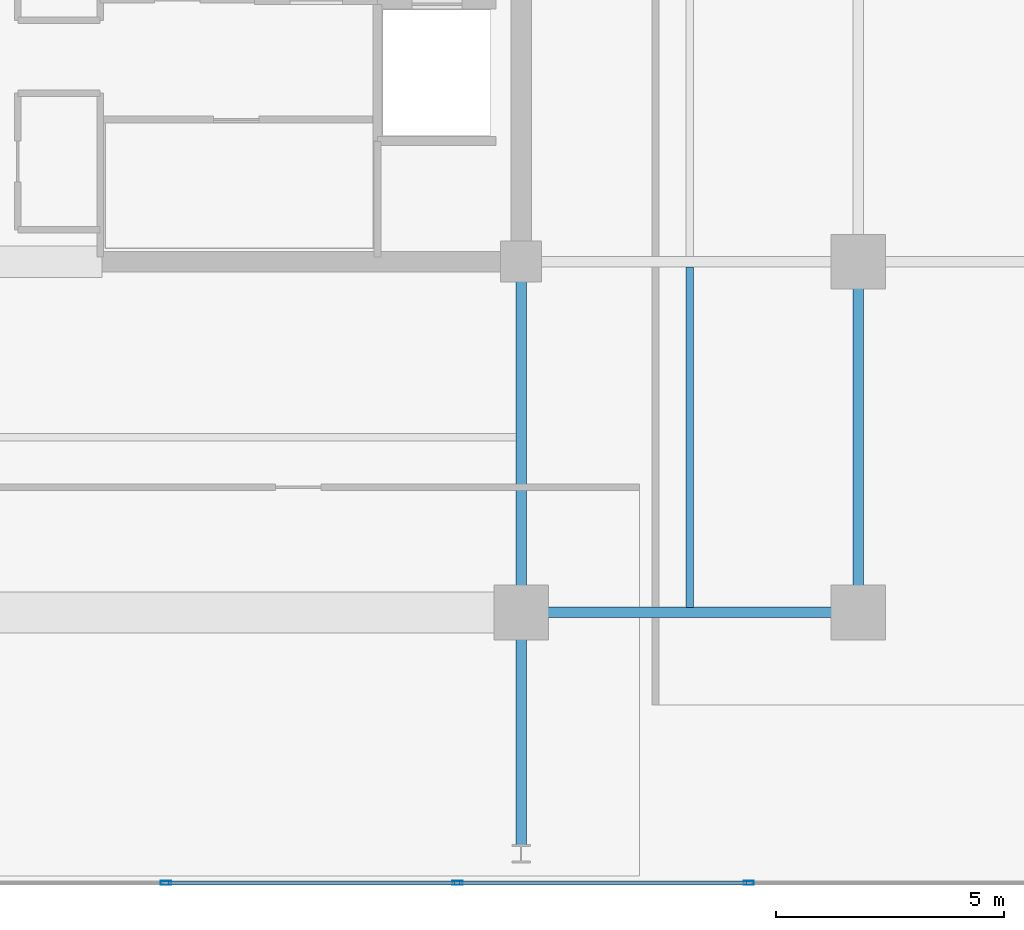
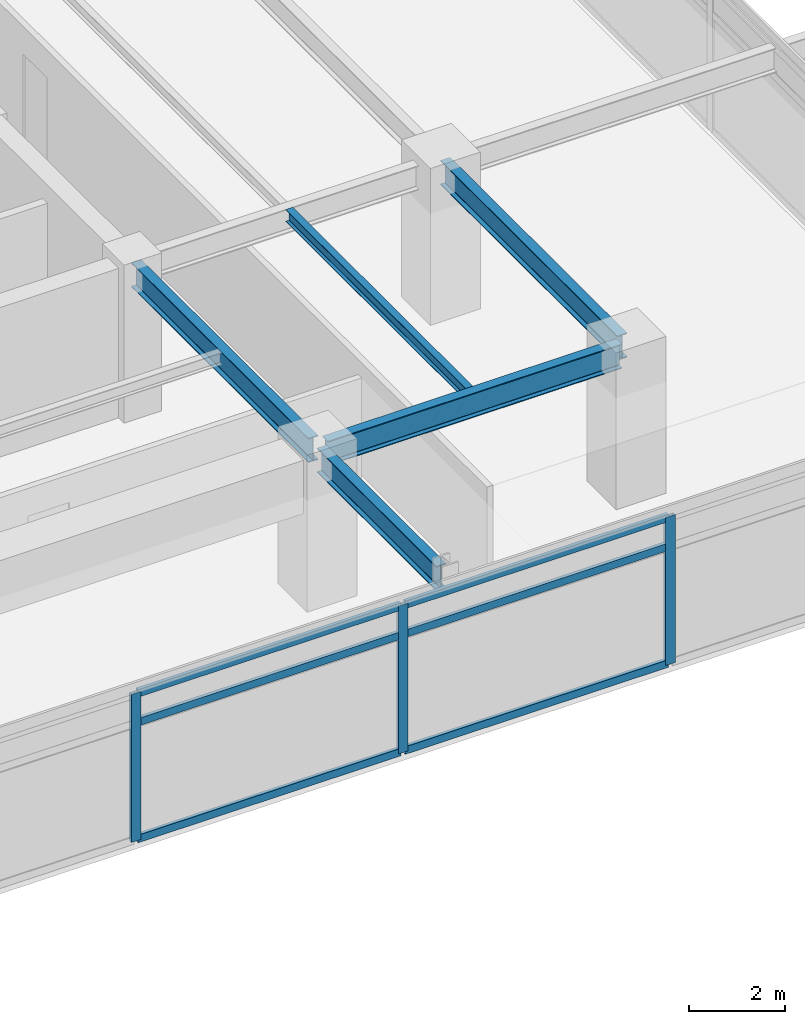
# One storey, part 6 of 18: 9 members, 5 beams, 1 element without a shape of its own.
"""IFC4 building model written with IfcOpenShell, lengths in metres."""

from ifc_helpers import new_model, si_unit, direction, frame, origin, origin_2d, place, context, subcontext, project, spatial, hollow_rectangle, i_section, extrude, material, material_profile, profile_set, type_object, element, aggregate, save


model = new_model("IFC4")

# Units and contexts
model_context = context("Model", 3, precision=1e-05, world=origin(), true_north=direction((0.0, 1.0)))
body_context = subcontext(model_context, "Body", "Model", "MODEL_VIEW")
ifc_project = project(units=[si_unit("LENGTHUNIT", "METRE"), si_unit("AREAUNIT", "SQUARE_METRE"), si_unit("VOLUMEUNIT", "CUBIC_METRE"), si_unit("PLANEANGLEUNIT", "RADIAN"), si_unit("MASSUNIT", "GRAM", prefix="KILO")], contexts=[model_context])

# Site, building, storey
site_placement = place(None, origin())
site = spatial("IfcSite", under=ifc_project, at=site_placement, CompositionType="ELEMENT")
building_placement = place(site_placement, origin())
building = spatial("IfcBuilding", under=site, at=building_placement, Name="Kovane Verandah Tower", CompositionType="ELEMENT")
storey_placement = place(building_placement, frame((0.0, 0.0, 251.199951171875)))
storey = spatial("IfcBuildingStorey", under=building, at=storey_placement, Name="L58", CompositionType="ELEMENT", Elevation=251.199951171875)

# Beams
ifc_material_1 = material(Name="Steel S355", Category="steel")
ifc_material_profile_1 = material_profile(ifc_material_1, i_section(OverallWidth=0.230224609375, OverallDepth=0.6171875, WebThickness=0.01318359375, FlangeThickness=0.022216796875, FilletRadius=0.0126953125, at=origin_2d()), Name="UB610x229x140")
ifc_profile_set_1 = profile_set([ifc_material_profile_1], Name="Steel S355")
beam_type_1 = type_object("IfcBeamType", Name="BM-UB610x140", PredefinedType="BEAM", material=ifc_profile_set_1)
beam_1_placement = place(storey_placement, frame((51.179931640625, 10.800048828125, 3.4765625), z_axis=(1.0, 0.0, 0.0), x_axis=(0.0, 1.0, 0.0)))
element("IfcBeam", 1, at=beam_1_placement, inside=storey, type_object=beam_type_1, Name="L58 Primary Tower Girder G-RS3", PredefinedType="BEAM", context=body_context, shape_type="SweptSolid", body=[
    extrude(i_section(OverallWidth=0.230224609375, OverallDepth=0.6171875, WebThickness=0.01318359375, FlangeThickness=0.022216796875, FilletRadius=0.0126953125, at=origin_2d()), origin(), (0.0, 0.0, 1.0), 7.0400390625),
])
for number, where, z_axis, x_axis, name in (
    (2, (58.39990234375, 10.97998046875, 3.4765625), (0.0, 1.0, 0.0), (-1.0, 0.0, 0.0), "L58 Primary Tower Girder G-RE1"),
    (3, (51.0, 18.320068359375, 3.4765625), (0.0, -1.0, 0.0), (1.0, 0.0, 0.0), "L58 Primary Tower Girder G-S2"),
):
    element("IfcBeam", number, at=place(storey_placement, frame(where, z_axis=z_axis, x_axis=x_axis)), inside=storey, type_object=beam_type_1, Name=name, PredefinedType="BEAM", context=body_context, shape_type="SweptSolid", body=[
        extrude(i_section(OverallWidth=0.230224609375, OverallDepth=0.6171875, WebThickness=0.01318359375, FlangeThickness=0.022216796875, FilletRadius=0.0126953125, at=origin_2d()), origin(), (0.0, 0.0, 1.0), 7.340087890625),
    ])
beam_2_placement = place(storey_placement, frame((51.0, 10.6201171875, 3.451416015625), z_axis=(0.0, -1.0, 0.0), x_axis=(1.0, 0.0, 0.0)))
element("IfcBeam", 4, at=beam_2_placement, inside=storey, type_object=beam_type_1, Name="L58 Primary Tower Girder G-VS2", PredefinedType="BEAM", context=body_context, shape_type="SweptSolid", body=[
    extrude(i_section(OverallWidth=0.230224609375, OverallDepth=0.6171875, WebThickness=0.01318359375, FlangeThickness=0.022216796875, FilletRadius=0.0126953125, at=origin_2d()), origin(), (0.0, 0.0, 1.0), 4.940185546875),
])

# Curtain wall, members
ifc_material_2 = material(Name="Champagne Anodised Aluminium Frame with Low-E Clear Laminated Glass", Category="aluminium")
curtain_wall_type = type_object("IfcCurtainWallType", Name="CW-SYS-05-HIGH", PredefinedType="NOTDEFINED", material=ifc_material_2)
curtain_wall_placement = place(storey_placement, origin())
curtain_wall = element("IfcCurtainWall", 5, at=curtain_wall_placement, inside=storey, type_object=curtain_wall_type, Name="L58 S Unitised Curtain Wall", PredefinedType="NOTDEFINED")
ifc_material_3 = material(Name="Champagne Anodised Aluminium 6063-T6", Category="aluminium")
ifc_material_profile_2 = material_profile(ifc_material_3, hollow_rectangle(XDim=0.0849609375, YDim=0.22998046875, WallThickness=0.00390625, at=origin_2d()), Name="AL85x230x4")
ifc_profile_set_2 = profile_set([ifc_material_profile_2], Name="Champagne Anodised Aluminium 6063-T6")
member_type_1 = type_object("IfcMemberType", Name="CW-MUL-85x230", PredefinedType="MULLION", material=ifc_profile_set_2)
member_1_placement = place(storey_placement, frame((43.199462890625, 4.8623046875, 0.02001953125), z_axis=(0.0, 0.0, 1.0), x_axis=(0.0, -1.0, 0.0)))
member_1 = element("IfcMember", 6, at=member_1_placement, type_object=member_type_1, Name="L58 S Unitised Curtain Wall Mullion 5", PredefinedType="MULLION", context=body_context, shape_type="SweptSolid", body=[
    extrude(hollow_rectangle(XDim=0.0849609375, YDim=0.22998046875, WallThickness=0.00390625, at=origin_2d()), origin(), (0.0, 0.0, 1.0), 3.7451171875),
])
member_2_placement = place(storey_placement, frame((49.598388671875, 4.8623046875, 0.02001953125), z_axis=(0.0, 0.0, 1.0), x_axis=(0.0, -1.0, 0.0)))
member_2 = element("IfcMember", 7, at=member_2_placement, type_object=member_type_1, Name="L58 S Unitised Curtain Wall Mullion 6", PredefinedType="MULLION", context=body_context, shape_type="SweptSolid", body=[
    extrude(hollow_rectangle(XDim=0.0849609375, YDim=0.22998046875, WallThickness=0.00390625, at=origin_2d()), origin(), (0.0, 0.0, 1.0), 3.7451171875),
])
member_3_placement = place(storey_placement, frame((55.997314453125, 4.8623046875, 0.02001953125), z_axis=(0.0, 0.0, 1.0), x_axis=(0.0, -1.0, 0.0)))
member_3 = element("IfcMember", 8, at=member_3_placement, type_object=member_type_1, Name="L58 S Unitised Curtain Wall Mullion 7", PredefinedType="MULLION", context=body_context, shape_type="SweptSolid", body=[
    extrude(hollow_rectangle(XDim=0.0849609375, YDim=0.22998046875, WallThickness=0.00390625, at=origin_2d()), origin(), (0.0, 0.0, 1.0), 3.7451171875),
])
ifc_material_profile_3 = material_profile(ifc_material_3, hollow_rectangle(XDim=0.0849609375, YDim=0.18994140625, WallThickness=0.00390625, at=origin_2d()), Name="AL85x190x4")
ifc_profile_set_3 = profile_set([ifc_material_profile_3], Name="Champagne Anodised Aluminium 6063-T6")
member_type_2 = type_object("IfcMemberType", Name="CW-TRN-85x190", PredefinedType="USERDEFINED", material=ifc_profile_set_3)
member_4_placement = place(storey_placement, frame((43.24951171875, 4.8623046875, 0.050048828125), z_axis=(1.0, 0.0, 0.0), x_axis=(0.0, 1.0, 0.0)))
member_4 = element("IfcMember", 9, at=member_4_placement, type_object=member_type_2, Name="L58 S Unitised Curtain Wall Transom TB Bay 5", ObjectType="TRANSOM", PredefinedType="USERDEFINED", context=body_context, shape_type="SweptSolid", body=[
    extrude(hollow_rectangle(XDim=0.0849609375, YDim=0.18994140625, WallThickness=0.00390625, at=origin_2d()), origin(), (0.0, 0.0, 1.0), 6.298828125),
])
member_5_placement = place(storey_placement, frame((43.24951171875, 4.8623046875, 3.005126953125), z_axis=(1.0, 0.0, 0.0), x_axis=(0.0, 1.0, 0.0)))
member_5 = element("IfcMember", 10, at=member_5_placement, type_object=member_type_2, Name="L58 S Unitised Curtain Wall Transom TM Bay 5", ObjectType="TRANSOM", PredefinedType="USERDEFINED", context=body_context, shape_type="SweptSolid", body=[
    extrude(hollow_rectangle(XDim=0.0849609375, YDim=0.18994140625, WallThickness=0.00390625, at=origin_2d()), origin(), (0.0, 0.0, 1.0), 6.298828125),
])
member_6_placement = place(storey_placement, frame((43.24951171875, 4.8623046875, 3.735107421875), z_axis=(1.0, 0.0, 0.0), x_axis=(0.0, 1.0, 0.0)))
member_6 = element("IfcMember", 11, at=member_6_placement, type_object=member_type_2, Name="L58 S Unitised Curtain Wall Transom TT Bay 5", ObjectType="TRANSOM", PredefinedType="USERDEFINED", context=body_context, shape_type="SweptSolid", body=[
    extrude(hollow_rectangle(XDim=0.0849609375, YDim=0.18994140625, WallThickness=0.00390625, at=origin_2d()), origin(), (0.0, 0.0, 1.0), 6.298828125),
])
member_7_placement = place(storey_placement, frame((49.6484375, 4.8623046875, 0.050048828125), z_axis=(1.0, 0.0, 0.0), x_axis=(0.0, 1.0, 0.0)))
member_7 = element("IfcMember", 12, at=member_7_placement, type_object=member_type_2, Name="L58 S Unitised Curtain Wall Transom TB Bay 6", ObjectType="TRANSOM", PredefinedType="USERDEFINED", context=body_context, shape_type="SweptSolid", body=[
    extrude(hollow_rectangle(XDim=0.0849609375, YDim=0.18994140625, WallThickness=0.00390625, at=origin_2d()), origin(), (0.0, 0.0, 1.0), 6.299072265625),
])
member_8_placement = place(storey_placement, frame((49.6484375, 4.8623046875, 3.005126953125), z_axis=(1.0, 0.0, 0.0), x_axis=(0.0, 1.0, 0.0)))
member_8 = element("IfcMember", 13, at=member_8_placement, type_object=member_type_2, Name="L58 S Unitised Curtain Wall Transom TM Bay 6", ObjectType="TRANSOM", PredefinedType="USERDEFINED", context=body_context, shape_type="SweptSolid", body=[
    extrude(hollow_rectangle(XDim=0.0849609375, YDim=0.18994140625, WallThickness=0.00390625, at=origin_2d()), origin(), (0.0, 0.0, 1.0), 6.299072265625),
])
member_9_placement = place(storey_placement, frame((49.6484375, 4.8623046875, 3.735107421875), z_axis=(1.0, 0.0, 0.0), x_axis=(0.0, 1.0, 0.0)))
member_9 = element("IfcMember", 14, at=member_9_placement, type_object=member_type_2, Name="L58 S Unitised Curtain Wall Transom TT Bay 6", ObjectType="TRANSOM", PredefinedType="USERDEFINED", context=body_context, shape_type="SweptSolid", body=[
    extrude(hollow_rectangle(XDim=0.0849609375, YDim=0.18994140625, WallThickness=0.00390625, at=origin_2d()), origin(), (0.0, 0.0, 1.0), 6.299072265625),
])
aggregate(curtain_wall, [member_1, member_2, member_3, member_4, member_5, member_6, member_7, member_8, member_9])

# Beam
ifc_material_profile_4 = material_profile(ifc_material_1, i_section(OverallWidth=0.1669921875, OverallDepth=0.310302734375, WebThickness=0.0078125, FlangeThickness=0.013671875, FilletRadius=0.0087890625, at=origin_2d()), Name="UB305x165x54")
ifc_profile_set_4 = profile_set([ifc_material_profile_4], Name="Steel S355")
beam_type_2 = type_object("IfcBeamType", Name="JST-UB305x54", PredefinedType="JOIST", material=ifc_profile_set_4)
beam_3_placement = place(storey_placement, frame((54.699951171875, 10.9130859375, 3.6298828125), z_axis=(0.0, 1.0, 0.0), x_axis=(-1.0, 0.0, 0.0)))
element("IfcBeam", 15, at=beam_3_placement, inside=storey, type_object=beam_type_2, Name="L58 Secondary Composite Joist J-SE1", PredefinedType="JOIST", context=body_context, shape_type="SweptSolid", body=[
    extrude(i_section(OverallWidth=0.1669921875, OverallDepth=0.310302734375, WebThickness=0.0078125, FlangeThickness=0.013671875, FilletRadius=0.0087890625, at=origin_2d()), origin(), (0.0, 0.0, 1.0), 7.473876953125),
])

save(model, "model.ifc")
